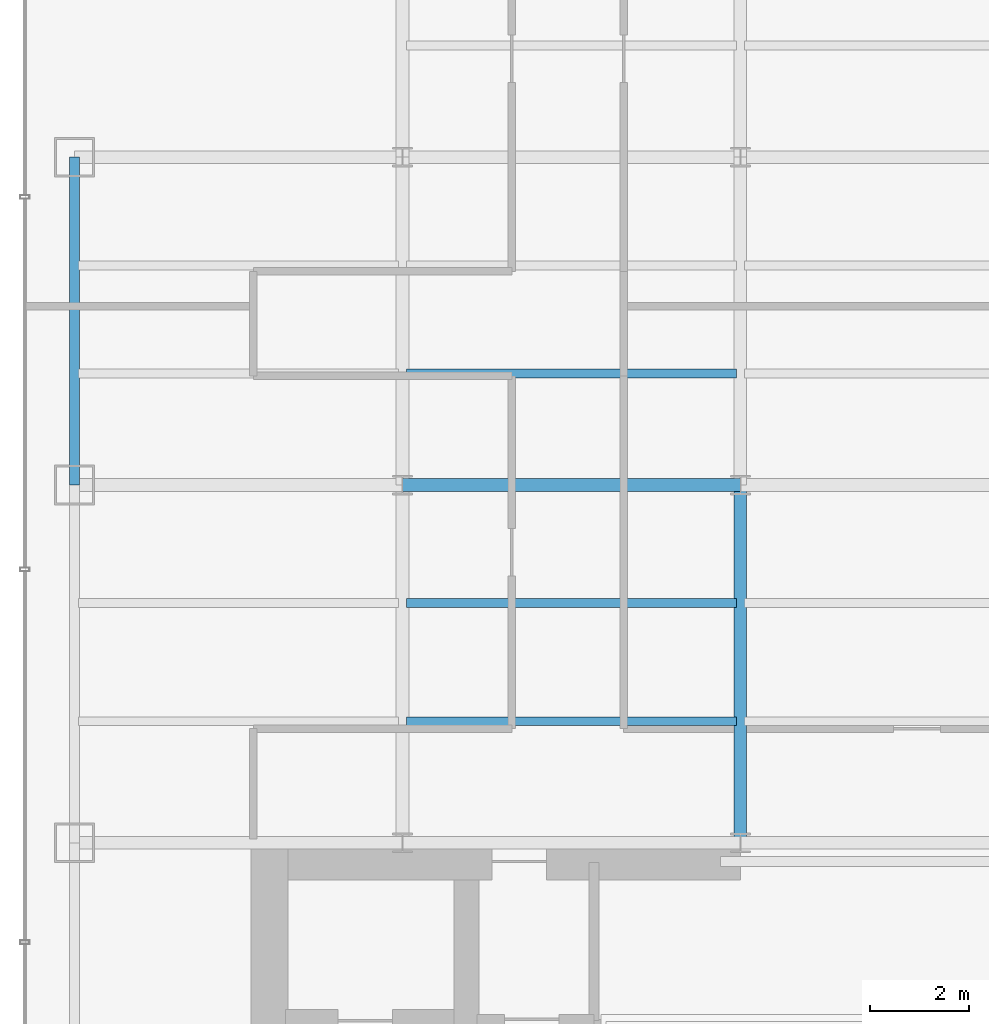
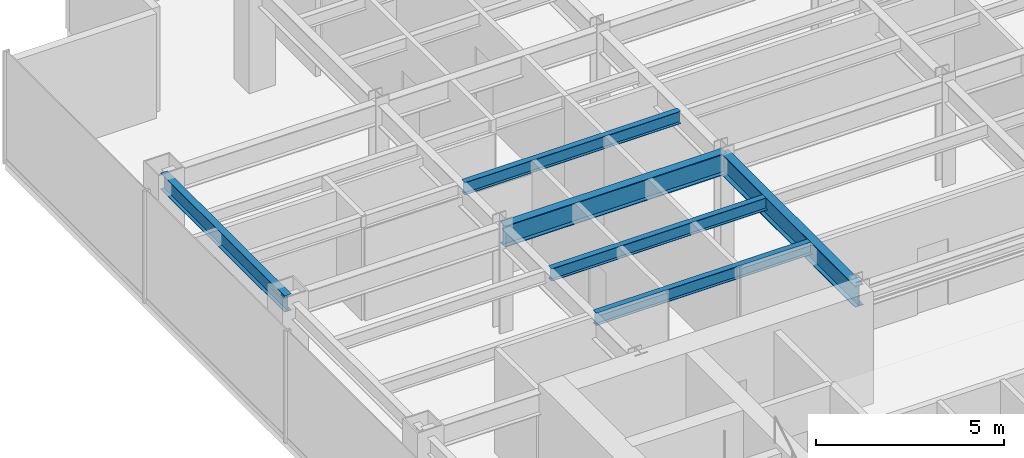
# One storey, part 5 of 26: 6 beams.
"""IFC4 building model written with IfcOpenShell, lengths in metres."""

from ifc_helpers import new_model, si_unit, derived_unit, direction, frame, origin, origin_2d, place, context, subcontext, project, spatial, i_section, extrude, source, transform, mapped, material, material_profile, profile_set, type_object, element, save


model = new_model("IFC4")

# Units and contexts
model_context = context("Model", 3, precision=1e-05, world=origin(), true_north=direction((0.0, 1.0)))
body_context = subcontext(model_context, "Body", "Model", "MODEL_VIEW")
ifc_project = project(units=[si_unit("LENGTHUNIT", "METRE"), si_unit("AREAUNIT", "SQUARE_METRE"), si_unit("VOLUMEUNIT", "CUBIC_METRE"), si_unit("PLANEANGLEUNIT", "RADIAN"), si_unit("MASSUNIT", "GRAM", prefix="KILO"), derived_unit("THERMALTRANSMITTANCEUNIT", [(si_unit("POWERUNIT", "WATT"), 1), (si_unit("LENGTHUNIT", "METRE"), -2), (si_unit("THERMODYNAMICTEMPERATUREUNIT", "KELVIN"), -1)])], contexts=[model_context])

# Site, building, storey
site_placement = place(None, origin())
site = spatial("IfcSite", under=ifc_project, at=site_placement, CompositionType="ELEMENT")
building_placement = place(site_placement, origin())
building = spatial("IfcBuilding", under=site, at=building_placement, Name="Skarnbrae Concourse Arena and Tower", CompositionType="ELEMENT")
storey_placement = place(building_placement, frame((0.0, 0.0, 106.89990234375)))
storey = spatial("IfcBuildingStorey", under=building, at=storey_placement, Name="L26", CompositionType="ELEMENT", Elevation=106.89990234375)

# Beams
ifc_material = material(Name="Steel CSA G40.21 350W", Category="steel")
ifc_material_profile_1 = material_profile(ifc_material, i_section(OverallWidth=0.256103515625, OverallDepth=0.693115234375, WebThickness=0.014404296875, FlangeThickness=0.023681640625, at=origin_2d()), Name="W690X170")
ifc_profile_set_1 = profile_set([ifc_material_profile_1], Name="Steel CSA G40.21 350W")
beam_type_1 = type_object("IfcBeamType", Name="BM-GIRD-W690X170", PredefinedType="BEAM", material=ifc_profile_set_1)
shared_shape_1 = source(origin(), body_context, "Body", "SweptSolid", [
    extrude(i_section(OverallWidth=0.256103515625, OverallDepth=0.693115234375, WebThickness=0.014404296875, FlangeThickness=0.023681640625, at=origin_2d()), origin(), (0.0, 0.0, 1.0), 6.7998046875),
])
beam_1_placement = place(storey_placement, frame((7.60009765625, 21.199951171875, 3.0537109375), z_axis=(1.0, 0.0, 0.0), x_axis=(0.0, 1.0, 0.0)))
element("IfcBeam", 1, at=beam_1_placement, inside=storey, type_object=beam_type_1, Name="L26 Primary E-W girder Y21.2-2", PredefinedType="BEAM", context=body_context, shape_type="MappedRepresentation", body=[
    mapped(shared_shape_1, transform((0.0, 0.0, 0.0))),
])
ifc_material_profile_2 = material_profile(ifc_material, i_section(OverallWidth=0.208984375, OverallDepth=0.532958984375, WebThickness=0.01025390625, FlangeThickness=0.015625, at=origin_2d()), Name="W530X92")
ifc_profile_set_2 = profile_set([ifc_material_profile_2], Name="Steel CSA G40.21 350W")
beam_type_2 = type_object("IfcBeamType", Name="BM-SPAN-W530X92", PredefinedType="SPANDREL", material=ifc_profile_set_2)
shared_shape_2 = source(origin(), body_context, "Body", "SweptSolid", [
    extrude(i_section(OverallWidth=0.208984375, OverallDepth=0.532958984375, WebThickness=0.01025390625, FlangeThickness=0.015625, at=origin_2d()), origin(), (0.0, 0.0, 1.0), 6.60009765625),
])
beam_2_placement = place(storey_placement, frame((1.0, 21.199951171875, 3.133544921875), z_axis=(0.0, 1.0, 0.0), x_axis=(-1.0, 0.0, 0.0)))
element("IfcBeam", 2, at=beam_2_placement, inside=storey, type_object=beam_type_2, Name="L26 Perimeter spandrel X1.0-3", PredefinedType="SPANDREL", context=body_context, shape_type="MappedRepresentation", body=[
    mapped(shared_shape_2, transform((0.0, 0.0, 0.0))),
])
shared_shape_3 = source(origin(), body_context, "Body", "SweptSolid", [
    extrude(i_section(OverallWidth=0.256103515625, OverallDepth=0.693115234375, WebThickness=0.014404296875, FlangeThickness=0.023681640625, at=origin_2d()), origin(), (0.0, 0.0, 1.0), 7.199951171875),
])
beam_3_placement = place(storey_placement, frame((14.39990234375, 14.0, 3.0537109375), z_axis=(0.0, 1.0, 0.0), x_axis=(-1.0, 0.0, 0.0)))
element("IfcBeam", 3, at=beam_3_placement, inside=storey, type_object=beam_type_1, Name="L26 Primary N-S girder X14.4-1", PredefinedType="BEAM", context=body_context, shape_type="MappedRepresentation", body=[
    mapped(shared_shape_3, transform((0.0, 0.0, 0.0))),
])
ifc_material_profile_3 = material_profile(ifc_material, i_section(OverallWidth=0.177978515625, OverallDepth=0.406982421875, WebThickness=0.0078125, FlangeThickness=0.0126953125, at=origin_2d()), Name="W410X60")
ifc_profile_set_3 = profile_set([ifc_material_profile_3], Name="Steel CSA G40.21 350W")
beam_type_3 = type_object("IfcBeamType", Name="BM-JOIST-W410X60", PredefinedType="JOIST", material=ifc_profile_set_3)
shared_shape_4 = source(origin(), body_context, "Body", "SweptSolid", [
    extrude(i_section(OverallWidth=0.177978515625, OverallDepth=0.406982421875, WebThickness=0.0078125, FlangeThickness=0.0126953125, at=origin_2d()), origin(), (0.0, 0.0, 1.0), 6.64013671875),
])
for number, where, z_axis, x_axis, name in (
    (4, (7.679931640625, 16.447998046875, 3.196533203125), (1.0, 0.0, 0.0), (0.0, 1.0, 0.0), "L26 Secondary floor joist 1.1.2"),
    (5, (7.679931640625, 18.823974609375, 3.196533203125), (1.0, 0.0, 0.0), (0.0, 1.0, 0.0), "L26 Secondary floor joist 1.2.2"),
    (6, (7.679931640625, 23.444091796875, 3.196533203125), (1.0, 0.0, 0.0), (0.0, 1.0, 0.0), "L26 Secondary floor joist 2.1.2"),
):
    element("IfcBeam", number, at=place(storey_placement, frame(where, z_axis=z_axis, x_axis=x_axis)), inside=storey, type_object=beam_type_3, Name=name, PredefinedType="JOIST", context=body_context, shape_type="MappedRepresentation", body=[
        mapped(shared_shape_4, transform((0.0, 0.0, 0.0))),
    ])

save(model, "model.ifc")
